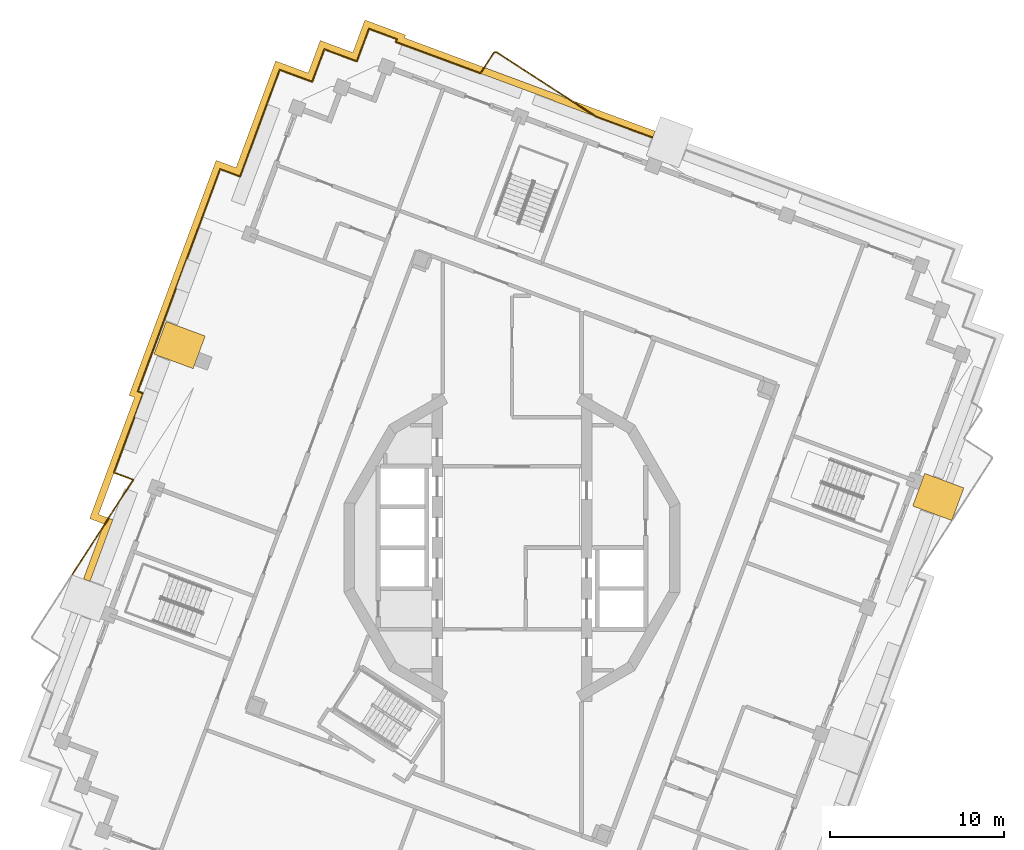
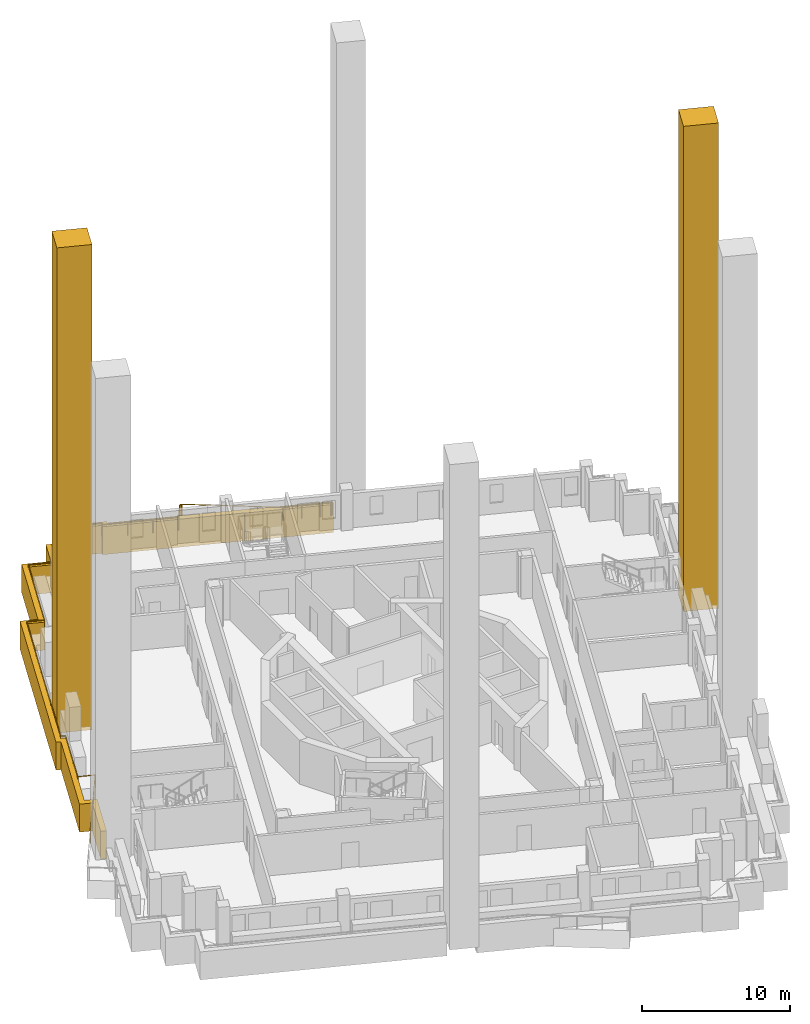
# One storey, part 17 of 20: 3 coverings, 1 railing.
"""IFC4 building model written with IfcOpenShell, lengths in metres."""

from ifc_helpers import new_model, si_unit, direction, frame, origin, origin_2d, place, context, subcontext, project, spatial, polyline, rectangle, circle, outline, extrude, material, type_object, element, save


model = new_model("IFC4")

# Units and contexts
model_context = context("Model", 3, precision=1e-05, world=origin(), true_north=direction((0.0, 1.0)))
body_context = subcontext(model_context, "Body", "Model", "MODEL_VIEW")
ifc_project = project(units=[si_unit("LENGTHUNIT", "METRE"), si_unit("AREAUNIT", "SQUARE_METRE"), si_unit("VOLUMEUNIT", "CUBIC_METRE"), si_unit("PLANEANGLEUNIT", "RADIAN"), si_unit("MASSUNIT", "GRAM", prefix="KILO")], contexts=[model_context])

# Site, building, storey
site_placement = place(None, origin())
site = spatial("IfcSite", under=ifc_project, at=site_placement, CompositionType="ELEMENT")
building_placement = place(site_placement, origin())
building = spatial("IfcBuilding", under=site, at=building_placement, Name="Cantera Rosa Tower", CompositionType="ELEMENT")
storey_placement = place(building_placement, frame((0.0, 0.0, 306.10009765625)))
storey = spatial("IfcBuildingStorey", under=building, at=storey_placement, Name="L67", CompositionType="ELEMENT", Elevation=306.10009765625)

# Railing
ifc_material_1 = material(Name="Stainless steel and laminated glass", Category="steel")
railing_type = type_object("IfcRailingType", Name="GUARD 1100", PredefinedType="BALUSTRADE", material=ifc_material_1)
railing_placement = place(storey_placement, frame((-25.3232421875, -1.53857421875, 0.0)))
element("IfcRailing", 1, at=railing_placement, inside=storey, type_object=railing_type, Name="GUARD L67-3", PredefinedType="BALUSTRADE", context=body_context, shape_type="SweptSolid", body=[
    extrude(circle(Radius=0.030029296875, at=origin_2d()), frame((0.0, 0.0, 1.070068359375), z_axis=(0.544599084663, 0.838696510655, 0.0), x_axis=(-0.838696510655, 0.544599084663, 0.0)), (0.0, 0.0, 1.0), 3.8583984375),
    extrude(circle(Radius=0.030029296875, at=origin_2d()), frame((2.101318359375, 3.236083984375, 1.070068359375), z_axis=(-0.938748227674, 0.344603779779, 0.0), x_axis=(-0.344603779779, -0.938748227674, 0.0)), (0.0, 0.0, 1.0), 0.0205078125),
    extrude(circle(Radius=0.030029296875, at=origin_2d()), frame((2.08203125, 3.2431640625, 1.070068359375), z_axis=(0.554700196225, 0.832050294338, 0.0), x_axis=(-0.832050294338, 0.554700196225, 0.0)), (0.0, 0.0, 1.0), 0.00439453125),
    extrude(circle(Radius=0.030029296875, at=origin_2d()), frame((2.08447265625, 3.246826171875, 1.070068359375), z_axis=(0.544645340556, 0.838666473045, 0.0), x_axis=(-0.838666473045, 0.544645340556, 0.0)), (0.0, 0.0, 1.0), 2.627197265625),
    extrude(circle(Radius=0.030029296875, at=origin_2d()), frame((3.515380859375, 5.4501953125, 1.070068359375), z_axis=(-0.937733777565, 0.347354807672, 0.0), x_axis=(-0.347354807672, -0.937733777565, 0.0)), (0.0, 0.0, 1.0), 1.179443359375),
    extrude(circle(Radius=0.030029296875, at=origin_2d()), frame((2.409423828125, 5.85986328125, 1.070068359375), z_axis=(0.347969908143, 0.93750570293, 0.0), x_axis=(-0.93750570293, 0.347969908143, 0.0)), (0.0, 0.0, 1.0), 0.169677734375),
    extrude(circle(Radius=0.030029296875, at=origin_2d()), frame((2.468505859375, 6.01904296875, 1.070068359375), z_axis=(0.0, 1.0, 0.0), x_axis=(-1.0, 0.0, 0.0)), (0.0, 0.0, 1.0), 0.000244140625),
    extrude(circle(Radius=0.030029296875, at=origin_2d()), frame((2.468505859375, 6.019287109375, 1.070068359375), z_axis=(0.347490234894, 0.93768360157, 0.0), x_axis=(-0.93768360157, 0.347490234894, 0.0)), (0.0, 0.0, 1.0), 4.70166015625),
    extrude(circle(Radius=0.030029296875, at=origin_2d()), frame((4.102294921875, 10.427978515625, 1.070068359375), z_axis=(0.294085848838, 0.955779008722, 0.0), x_axis=(-0.955779008722, 0.294085848838, 0.0)), (0.0, 0.0, 1.0), 0.00341796875),
    extrude(circle(Radius=0.030029296875, at=origin_2d()), frame((4.103271484375, 10.43115234375, 1.070068359375), z_axis=(-0.894427191, 0.4472135955, 0.0), x_axis=(-0.4472135955, -0.894427191, 0.0)), (0.0, 0.0, 1.0), 0.003173828125),
    extrude(circle(Radius=0.030029296875, at=origin_2d()), frame((4.100341796875, 10.4326171875, 1.070068359375), z_axis=(-0.937704637425, 0.347433465504, 0.0), x_axis=(-0.347433465504, -0.937704637425, 0.0)), (0.0, 0.0, 1.0), 0.333740234375),
    extrude(circle(Radius=0.030029296875, at=origin_2d()), frame((3.787353515625, 10.548583984375, 1.070068359375), z_axis=(0.346994485002, 0.937867169368, 0.0), x_axis=(-0.937867169368, 0.346994485002, 0.0)), (0.0, 0.0, 1.0), 0.149169921875),
    extrude(circle(Radius=0.030029296875, at=origin_2d()), frame((3.839111328125, 10.6884765625, 1.070068359375), z_axis=(0.316227766017, 0.948683298051, 0.0), x_axis=(-0.948683298051, 0.316227766017, 0.0)), (0.0, 0.0, 1.0), 0.000732421875),
    extrude(circle(Radius=0.030029296875, at=origin_2d()), frame((3.83935546875, 10.689208984375, 1.070068359375), z_axis=(0.347496007418, 0.937681462347, 0.0), x_axis=(-0.937681462347, 0.347496007418, 0.0)), (0.0, 0.0, 1.0), 3.764404296875),
    extrude(circle(Radius=0.030029296875, at=origin_2d()), frame((5.1474609375, 14.218994140625, 1.070068359375), z_axis=(0.347469040012, 0.937691455775, 0.0), x_axis=(-0.937691455775, 0.347469040012, 0.0)), (0.0, 0.0, 1.0), 9.715087890625),
    extrude(circle(Radius=0.030029296875, at=origin_2d()), frame((8.523193359375, 23.328857421875, 1.070068359375), z_axis=(0.937722312445, -0.34738575783, 0.0), x_axis=(0.34738575783, 0.937722312445, 0.0)), (0.0, 0.0, 1.0), 1.224853515625),
    extrude(circle(Radius=0.030029296875, at=origin_2d()), frame((9.671875, 22.9033203125, 1.070068359375), z_axis=(0.347478129695, 0.93768808747, 0.0), x_axis=(-0.93768808747, 0.347478129695, 0.0)), (0.0, 0.0, 1.0), 4.85498046875),
    extrude(circle(Radius=0.030029296875, at=origin_2d()), frame((11.35888671875, 27.455810546875, 1.070068359375), z_axis=(0.347501421626, 0.937679455874, 0.0), x_axis=(-0.937679455874, 0.347501421626, 0.0)), (0.0, 0.0, 1.0), 1.7001953125),
    extrude(circle(Radius=0.030029296875, at=origin_2d()), frame((11.94970703125, 29.050048828125, 1.070068359375), z_axis=(0.93766211216, -0.347548217403, 0.0), x_axis=(0.347548217403, 0.93766211216, 0.0)), (0.0, 0.0, 1.0), 1.699951171875),
    extrude(circle(Radius=0.030029296875, at=origin_2d()), frame((13.543701171875, 28.459228515625, 1.070068359375), z_axis=(0.937660365215, -0.347552930509, 0.0), x_axis=(0.347552930509, 0.937660365215, 0.0)), (0.0, 0.0, 1.0), 0.300048828125),
    extrude(circle(Radius=0.030029296875, at=origin_2d()), frame((13.824951171875, 28.35498046875, 1.070068359375), z_axis=(0.347552930509, 0.937660365215, 0.0), x_axis=(-0.937660365215, 0.347552930509, 0.0)), (0.0, 0.0, 1.0), 0.300048828125),
    extrude(circle(Radius=0.030029296875, at=origin_2d()), frame((13.92919921875, 28.63623046875, 1.070068359375), z_axis=(0.347501421626, 0.937679455874, 0.0), x_axis=(-0.937679455874, 0.347501421626, 0.0)), (0.0, 0.0, 1.0), 1.7001953125),
    extrude(circle(Radius=0.030029296875, at=origin_2d()), frame((14.52001953125, 30.23046875, 1.070068359375), z_axis=(0.93766211216, -0.347548217403, 0.0), x_axis=(0.347548217403, 0.93766211216, 0.0)), (0.0, 0.0, 1.0), 1.699951171875),
    extrude(circle(Radius=0.030029296875, at=origin_2d()), frame((16.114013671875, 29.6396484375, 1.070068359375), z_axis=(0.937660365215, -0.347552930509, 0.0), x_axis=(0.347552930509, 0.937660365215, 0.0)), (0.0, 0.0, 1.0), 0.300048828125),
    extrude(circle(Radius=0.030029296875, at=origin_2d()), frame((16.395263671875, 29.535400390625, 1.070068359375), z_axis=(0.347509146147, 0.937676593151, 0.0), x_axis=(-0.937676593151, 0.347509146147, 0.0)), (0.0, 0.0, 1.0), 2.000244140625),
    extrude(circle(Radius=0.030029296875, at=origin_2d()), frame((17.09033203125, 31.410888671875, 1.070068359375), z_axis=(0.93766211216, -0.347548217403, 0.0), x_axis=(0.347548217403, 0.93766211216, 0.0)), (0.0, 0.0, 1.0), 1.699951171875),
    extrude(circle(Radius=0.030029296875, at=origin_2d()), frame((18.684326171875, 30.820068359375, 1.070068359375), z_axis=(-0.346946854775, -0.937884790346, 0.0), x_axis=(0.937884790346, -0.346946854775, 0.0)), (0.0, 0.0, 1.0), 0.173095703125),
    extrude(circle(Radius=0.030029296875, at=origin_2d()), frame((18.624267578125, 30.65771484375, 1.070068359375), z_axis=(0.937687063636, -0.347480892553, 0.0), x_axis=(0.347480892553, 0.937687063636, 0.0)), (0.0, 0.0, 1.0), 5.2041015625),
    extrude(circle(Radius=0.030029296875, at=origin_2d()), frame((23.504150390625, 28.849365234375, 1.070068359375), z_axis=(0.544660153331, 0.838656853173, 0.0), x_axis=(-0.838656853173, 0.544660153331, 0.0)), (0.0, 0.0, 1.0), 1.385986328125),
    extrude(circle(Radius=0.030029296875, at=origin_2d()), frame((24.259033203125, 30.01171875, 1.070068359375), z_axis=(0.592076433961, 0.805881812891, 0.0), x_axis=(-0.805881812891, 0.592076433961, 0.0)), (0.0, 0.0, 1.0), 0.014892578125),
    extrude(circle(Radius=0.030029296875, at=origin_2d()), frame((24.267822265625, 30.023681640625, 1.070068359375), z_axis=(0.66436383883, 0.747409318684, 0.0), x_axis=(-0.747409318684, 0.66436383883, 0.0)), (0.0, 0.0, 1.0), 0.0146484375),
    extrude(circle(Radius=0.030029296875, at=origin_2d()), frame((24.277587890625, 30.03466796875, 1.070068359375), z_axis=(0.73160796015, 0.68172559923, 0.0), x_axis=(-0.68172559923, 0.73160796015, 0.0)), (0.0, 0.0, 1.0), 0.0146484375),
    extrude(circle(Radius=0.030029296875, at=origin_2d()), frame((24.288330078125, 30.044677734375, 1.070068359375), z_axis=(0.792010197197, 0.610507860339, 0.0), x_axis=(-0.610507860339, 0.792010197197, 0.0)), (0.0, 0.0, 1.0), 0.014892578125),
    extrude(circle(Radius=0.030029296875, at=origin_2d()), frame((24.300048828125, 30.0537109375, 1.070068359375), z_axis=(0.854521941471, 0.519415297757, 0.0), x_axis=(-0.519415297757, 0.854521941471, 0.0)), (0.0, 0.0, 1.0), 0.0146484375),
    extrude(circle(Radius=0.030029296875, at=origin_2d()), frame((24.3125, 30.061279296875, 1.070068359375), z_axis=(0.894427191, 0.4472135955, 0.0), x_axis=(-0.4472135955, 0.894427191, 0.0)), (0.0, 0.0, 1.0), 0.0146484375),
    extrude(circle(Radius=0.030029296875, at=origin_2d()), frame((24.32568359375, 30.06787109375, 1.070068359375), z_axis=(0.938343116817, 0.345705358827, 0.0), x_axis=(-0.345705358827, 0.938343116817, 0.0)), (0.0, 0.0, 1.0), 0.014892578125),
    extrude(circle(Radius=0.030029296875, at=origin_2d()), frame((24.339599609375, 30.072998046875, 1.070068359375), z_axis=(0.968146911612, 0.250382821969, 0.0), x_axis=(-0.250382821969, 0.968146911612, 0.0)), (0.0, 0.0, 1.0), 0.0146484375),
    extrude(circle(Radius=0.030029296875, at=origin_2d()), frame((24.353759765625, 30.07666015625, 1.070068359375), z_axis=(0.986393923832, 0.164398987305, 0.0), x_axis=(-0.164398987305, 0.986393923832, 0.0)), (0.0, 0.0, 1.0), 0.014892578125),
    extrude(circle(Radius=0.030029296875, at=origin_2d()), frame((24.368408203125, 30.0791015625, 1.070068359375), z_axis=(0.997785157857, 0.066519010524, 0.0), x_axis=(-0.066519010524, 0.997785157857, 0.0)), (0.0, 0.0, 1.0), 0.0146484375),
    extrude(circle(Radius=0.030029296875, at=origin_2d()), frame((24.383056640625, 30.080078125, 1.070068359375), z_axis=(0.998752338878, -0.049937616944, 0.0), x_axis=(0.049937616944, 0.998752338878, 0.0)), (0.0, 0.0, 1.0), 0.0146484375),
    extrude(circle(Radius=0.030029296875, at=origin_2d()), frame((24.397705078125, 30.079345703125, 1.070068359375), z_axis=(0.991227900683, -0.132163720091, 0.0), x_axis=(0.132163720091, 0.991227900683, 0.0)), (0.0, 0.0, 1.0), 0.014892578125),
    extrude(circle(Radius=0.030029296875, at=origin_2d()), frame((24.412353515625, 30.077392578125, 1.070068359375), z_axis=(0.972082208573, -0.234640533104, 0.0), x_axis=(0.234640533104, 0.972082208573, 0.0)), (0.0, 0.0, 1.0), 0.0146484375),
    extrude(circle(Radius=0.030029296875, at=origin_2d()), frame((24.426513671875, 30.073974609375, 1.070068359375), z_axis=(0.948683298051, -0.316227766017, 0.0), x_axis=(0.316227766017, 0.948683298051, 0.0)), (0.0, 0.0, 1.0), 0.0146484375),
    extrude(circle(Radius=0.030029296875, at=origin_2d()), frame((24.4404296875, 30.0693359375, 1.070068359375), z_axis=(0.910366477463, -0.413802944301, 0.0), x_axis=(0.413802944301, 0.910366477463, 0.0)), (0.0, 0.0, 1.0), 0.0146484375),
    extrude(circle(Radius=0.030029296875, at=origin_2d()), frame((24.453857421875, 30.063232421875, 1.070068359375), z_axis=(0.858946974209, -0.512064542317, 0.0), x_axis=(0.512064542317, 0.858946974209, 0.0)), (0.0, 0.0, 1.0), 0.014892578125),
    extrude(circle(Radius=0.030029296875, at=origin_2d()), frame((24.466552734375, 30.0556640625, 1.070068359375), z_axis=(0.838687059722, -0.544613639064, 0.0), x_axis=(0.544613639064, 0.838687059722, 0.0)), (0.0, 0.0, 1.0), 6.802734375),
    extrude(circle(Radius=0.030029296875, at=origin_2d()), frame((30.171875, 26.350830078125, 1.070068359375), z_axis=(0.857492925713, -0.514495755428, 0.0), x_axis=(0.514495755428, 0.857492925713, 0.0)), (0.0, 0.0, 1.0), 0.004150390625),
    extrude(circle(Radius=0.030029296875, at=origin_2d()), frame((30.175537109375, 26.3486328125, 1.070068359375), z_axis=(0.910366477463, -0.413802944301, 0.0), x_axis=(0.413802944301, 0.910366477463, 0.0)), (0.0, 0.0, 1.0), 0.0029296875),
    extrude(circle(Radius=0.030029296875, at=origin_2d()), frame((30.17822265625, 26.347412109375, 1.070068359375), z_axis=(0.937697148257, -0.347453677705, 0.0), x_axis=(0.347453677705, 0.937697148257, 0.0)), (0.0, 0.0, 1.0), 2.568115234375),
    extrude(circle(Radius=0.030029296875, at=origin_2d()), frame((32.58642578125, 25.455078125, 1.070068359375), z_axis=(0.937627938157, -0.347640402697, 0.0), x_axis=(0.347640402697, 0.937627938157, 0.0)), (0.0, 0.0, 1.0), 0.707275390625),
    extrude(circle(Radius=0.030029296875, at=origin_2d()), frame((33.24951171875, 25.209228515625, 1.070068359375), z_axis=(0.93912285212, -0.343581531264, 0.0), x_axis=(0.343581531264, 0.93912285212, 0.0)), (0.0, 0.0, 1.0), 0.042724609375),
    extrude(circle(Radius=0.030029296875, at=origin_2d()), frame((33.28955078125, 25.194580078125, 1.070068359375), z_axis=(0.937576914778, -0.347777987911, 0.0), x_axis=(0.347777987911, 0.937576914778, 0.0)), (0.0, 0.0, 1.0), 0.1201171875),
    extrude(circle(Radius=0.02490234375, at=origin_2d()), origin(), (0.0, 0.0, 1.0), 1.0400390625),
    extrude(circle(Radius=0.02490234375, at=origin_2d()), frame((1.05078125, 1.6181640625, 0.0)), (0.0, 0.0, 1.0), 1.0400390625),
    extrude(circle(Radius=0.02490234375, at=origin_2d()), frame((2.101318359375, 3.236083984375, 0.0)), (0.0, 0.0, 1.0), 1.0400390625),
    extrude(circle(Radius=0.02490234375, at=origin_2d()), frame((2.08203125, 3.2431640625, 0.0)), (0.0, 0.0, 1.0), 1.0400390625),
    extrude(circle(Radius=0.02490234375, at=origin_2d()), frame((2.08447265625, 3.246826171875, 0.0)), (0.0, 0.0, 1.0), 1.0400390625),
    extrude(circle(Radius=0.02490234375, at=origin_2d()), frame((2.7998046875, 4.3486328125, 0.0)), (0.0, 0.0, 1.0), 1.0400390625),
    extrude(circle(Radius=0.02490234375, at=origin_2d()), frame((3.515380859375, 5.4501953125, 0.0)), (0.0, 0.0, 1.0), 1.0400390625),
    extrude(circle(Radius=0.02490234375, at=origin_2d()), frame((2.409423828125, 5.85986328125, 0.0)), (0.0, 0.0, 1.0), 1.0400390625),
    extrude(circle(Radius=0.02490234375, at=origin_2d()), frame((2.468505859375, 6.01904296875, 0.0)), (0.0, 0.0, 1.0), 1.0400390625),
    extrude(circle(Radius=0.02490234375, at=origin_2d()), frame((2.468505859375, 6.019287109375, 0.0)), (0.0, 0.0, 1.0), 1.0400390625),
    extrude(circle(Radius=0.02490234375, at=origin_2d()), frame((3.01318359375, 7.48876953125, 0.0)), (0.0, 0.0, 1.0), 1.0400390625),
    extrude(circle(Radius=0.02490234375, at=origin_2d()), frame((3.5576171875, 8.95849609375, 0.0)), (0.0, 0.0, 1.0), 1.0400390625),
    extrude(circle(Radius=0.02490234375, at=origin_2d()), frame((4.102294921875, 10.427978515625, 0.0)), (0.0, 0.0, 1.0), 1.0400390625),
    extrude(circle(Radius=0.02490234375, at=origin_2d()), frame((4.103271484375, 10.43115234375, 0.0)), (0.0, 0.0, 1.0), 1.0400390625),
    extrude(circle(Radius=0.02490234375, at=origin_2d()), frame((4.100341796875, 10.4326171875, 0.0)), (0.0, 0.0, 1.0), 1.0400390625),
    extrude(circle(Radius=0.02490234375, at=origin_2d()), frame((3.787353515625, 10.548583984375, 0.0)), (0.0, 0.0, 1.0), 1.0400390625),
    extrude(circle(Radius=0.02490234375, at=origin_2d()), frame((3.839111328125, 10.6884765625, 0.0)), (0.0, 0.0, 1.0), 1.0400390625),
    extrude(circle(Radius=0.02490234375, at=origin_2d()), frame((3.83935546875, 10.689208984375, 0.0)), (0.0, 0.0, 1.0), 1.0400390625),
    extrude(circle(Radius=0.02490234375, at=origin_2d()), frame((4.493408203125, 12.4541015625, 0.0)), (0.0, 0.0, 1.0), 1.0400390625),
    extrude(circle(Radius=0.02490234375, at=origin_2d()), frame((5.1474609375, 14.218994140625, 0.0)), (0.0, 0.0, 1.0), 1.0400390625),
    extrude(circle(Radius=0.02490234375, at=origin_2d()), frame((5.822509765625, 16.041015625, 0.0)), (0.0, 0.0, 1.0), 1.0400390625),
    extrude(circle(Radius=0.02490234375, at=origin_2d()), frame((6.497802734375, 17.863037109375, 0.0)), (0.0, 0.0, 1.0), 1.0400390625),
    extrude(circle(Radius=0.02490234375, at=origin_2d()), frame((7.1728515625, 19.684814453125, 0.0)), (0.0, 0.0, 1.0), 1.0400390625),
    extrude(circle(Radius=0.02490234375, at=origin_2d()), frame((7.84814453125, 21.5068359375, 0.0)), (0.0, 0.0, 1.0), 1.0400390625),
    extrude(circle(Radius=0.02490234375, at=origin_2d()), frame((8.523193359375, 23.328857421875, 0.0)), (0.0, 0.0, 1.0), 1.0400390625),
    extrude(circle(Radius=0.02490234375, at=origin_2d()), frame((9.671875, 22.9033203125, 0.0)), (0.0, 0.0, 1.0), 1.0400390625),
    extrude(circle(Radius=0.02490234375, at=origin_2d()), frame((10.234130859375, 24.4208984375, 0.0)), (0.0, 0.0, 1.0), 1.0400390625),
    extrude(circle(Radius=0.02490234375, at=origin_2d()), frame((10.796630859375, 25.938232421875, 0.0)), (0.0, 0.0, 1.0), 1.0400390625),
    extrude(circle(Radius=0.02490234375, at=origin_2d()), frame((11.35888671875, 27.455810546875, 0.0)), (0.0, 0.0, 1.0), 1.0400390625),
    extrude(circle(Radius=0.02490234375, at=origin_2d()), frame((11.94970703125, 29.050048828125, 0.0)), (0.0, 0.0, 1.0), 1.0400390625),
    extrude(circle(Radius=0.02490234375, at=origin_2d()), frame((13.543701171875, 28.459228515625, 0.0)), (0.0, 0.0, 1.0), 1.0400390625),
    extrude(circle(Radius=0.02490234375, at=origin_2d()), frame((13.824951171875, 28.35498046875, 0.0)), (0.0, 0.0, 1.0), 1.0400390625),
    extrude(circle(Radius=0.02490234375, at=origin_2d()), frame((13.92919921875, 28.63623046875, 0.0)), (0.0, 0.0, 1.0), 1.0400390625),
    extrude(circle(Radius=0.02490234375, at=origin_2d()), frame((14.52001953125, 30.23046875, 0.0)), (0.0, 0.0, 1.0), 1.0400390625),
    extrude(circle(Radius=0.02490234375, at=origin_2d()), frame((16.114013671875, 29.6396484375, 0.0)), (0.0, 0.0, 1.0), 1.0400390625),
    extrude(circle(Radius=0.02490234375, at=origin_2d()), frame((16.395263671875, 29.535400390625, 0.0)), (0.0, 0.0, 1.0), 1.0400390625),
    extrude(circle(Radius=0.02490234375, at=origin_2d()), frame((17.09033203125, 31.410888671875, 0.0)), (0.0, 0.0, 1.0), 1.0400390625),
    extrude(circle(Radius=0.02490234375, at=origin_2d()), frame((18.684326171875, 30.820068359375, 0.0)), (0.0, 0.0, 1.0), 1.0400390625),
    extrude(circle(Radius=0.02490234375, at=origin_2d()), frame((18.624267578125, 30.65771484375, 0.0)), (0.0, 0.0, 1.0), 1.0400390625),
    extrude(circle(Radius=0.02490234375, at=origin_2d()), frame((20.2509765625, 30.054931640625, 0.0)), (0.0, 0.0, 1.0), 1.0400390625),
    extrude(circle(Radius=0.02490234375, at=origin_2d()), frame((21.87744140625, 29.4521484375, 0.0)), (0.0, 0.0, 1.0), 1.0400390625),
    extrude(circle(Radius=0.02490234375, at=origin_2d()), frame((23.504150390625, 28.849365234375, 0.0)), (0.0, 0.0, 1.0), 1.0400390625),
    extrude(circle(Radius=0.02490234375, at=origin_2d()), frame((24.259033203125, 30.01171875, 0.0)), (0.0, 0.0, 1.0), 1.0400390625),
    extrude(circle(Radius=0.02490234375, at=origin_2d()), frame((24.267822265625, 30.023681640625, 0.0)), (0.0, 0.0, 1.0), 1.0400390625),
    extrude(circle(Radius=0.02490234375, at=origin_2d()), frame((24.277587890625, 30.03466796875, 0.0)), (0.0, 0.0, 1.0), 1.0400390625),
    extrude(circle(Radius=0.02490234375, at=origin_2d()), frame((24.288330078125, 30.044677734375, 0.0)), (0.0, 0.0, 1.0), 1.0400390625),
    extrude(circle(Radius=0.02490234375, at=origin_2d()), frame((24.300048828125, 30.0537109375, 0.0)), (0.0, 0.0, 1.0), 1.0400390625),
    extrude(circle(Radius=0.02490234375, at=origin_2d()), frame((24.3125, 30.061279296875, 0.0)), (0.0, 0.0, 1.0), 1.0400390625),
    extrude(circle(Radius=0.02490234375, at=origin_2d()), frame((24.32568359375, 30.06787109375, 0.0)), (0.0, 0.0, 1.0), 1.0400390625),
    extrude(circle(Radius=0.02490234375, at=origin_2d()), frame((24.339599609375, 30.072998046875, 0.0)), (0.0, 0.0, 1.0), 1.0400390625),
    extrude(circle(Radius=0.02490234375, at=origin_2d()), frame((24.353759765625, 30.07666015625, 0.0)), (0.0, 0.0, 1.0), 1.0400390625),
    extrude(circle(Radius=0.02490234375, at=origin_2d()), frame((24.368408203125, 30.0791015625, 0.0)), (0.0, 0.0, 1.0), 1.0400390625),
    extrude(circle(Radius=0.02490234375, at=origin_2d()), frame((24.383056640625, 30.080078125, 0.0)), (0.0, 0.0, 1.0), 1.0400390625),
    extrude(circle(Radius=0.02490234375, at=origin_2d()), frame((24.397705078125, 30.079345703125, 0.0)), (0.0, 0.0, 1.0), 1.0400390625),
    extrude(circle(Radius=0.02490234375, at=origin_2d()), frame((24.412353515625, 30.077392578125, 0.0)), (0.0, 0.0, 1.0), 1.0400390625),
    extrude(circle(Radius=0.02490234375, at=origin_2d()), frame((24.426513671875, 30.073974609375, 0.0)), (0.0, 0.0, 1.0), 1.0400390625),
    extrude(circle(Radius=0.02490234375, at=origin_2d()), frame((24.4404296875, 30.0693359375, 0.0)), (0.0, 0.0, 1.0), 1.0400390625),
    extrude(circle(Radius=0.02490234375, at=origin_2d()), frame((24.453857421875, 30.063232421875, 0.0)), (0.0, 0.0, 1.0), 1.0400390625),
    extrude(circle(Radius=0.02490234375, at=origin_2d()), frame((24.466552734375, 30.0556640625, 0.0)), (0.0, 0.0, 1.0), 1.0400390625),
    extrude(circle(Radius=0.02490234375, at=origin_2d()), frame((25.892822265625, 29.12939453125, 0.0)), (0.0, 0.0, 1.0), 1.0400390625),
    extrude(circle(Radius=0.02490234375, at=origin_2d()), frame((27.3193359375, 28.203125, 0.0)), (0.0, 0.0, 1.0), 1.0400390625),
    extrude(circle(Radius=0.02490234375, at=origin_2d()), frame((28.74560546875, 27.277099609375, 0.0)), (0.0, 0.0, 1.0), 1.0400390625),
    extrude(circle(Radius=0.02490234375, at=origin_2d()), frame((30.171875, 26.350830078125, 0.0)), (0.0, 0.0, 1.0), 1.0400390625),
    extrude(circle(Radius=0.02490234375, at=origin_2d()), frame((30.175537109375, 26.3486328125, 0.0)), (0.0, 0.0, 1.0), 1.0400390625),
    extrude(circle(Radius=0.02490234375, at=origin_2d()), frame((30.17822265625, 26.347412109375, 0.0)), (0.0, 0.0, 1.0), 1.0400390625),
    extrude(circle(Radius=0.02490234375, at=origin_2d()), frame((31.38232421875, 25.9013671875, 0.0)), (0.0, 0.0, 1.0), 1.0400390625),
    extrude(circle(Radius=0.02490234375, at=origin_2d()), frame((32.58642578125, 25.455078125, 0.0)), (0.0, 0.0, 1.0), 1.0400390625),
    extrude(circle(Radius=0.02490234375, at=origin_2d()), frame((33.24951171875, 25.209228515625, 0.0)), (0.0, 0.0, 1.0), 1.0400390625),
    extrude(circle(Radius=0.02490234375, at=origin_2d()), frame((33.28955078125, 25.194580078125, 0.0)), (0.0, 0.0, 1.0), 1.0400390625),
    extrude(circle(Radius=0.02490234375, at=origin_2d()), frame((33.402099609375, 25.15283203125, 0.0)), (0.0, 0.0, 1.0), 1.0400390625),
])

# Coverings
ifc_material_2 = material(Name="Cantera stone", Category="masonry")
covering_type_1 = type_object("IfcCoveringType", Name="STONE FIN 2000x2400", PredefinedType="CLADDING", material=ifc_material_2)
for number, where, z_axis, x_axis, name in (
    (2, (-19.138427734375, 11.667236328125, -0.300048828125), (0.0, 0.0, 1.0), (-0.347481234489, -0.937686936924, 0.0), "STONE FIN FN-Z6-02"),
    (3, (24.545166015625, 2.923095703125, -0.300048828125), (0.0, 0.0, 1.0), (0.347481234489, 0.937686936924, 0.0), "STONE FIN FN-Z6-05"),
):
    element("IfcCovering", number, at=place(storey_placement, frame(where, z_axis=z_axis, x_axis=x_axis)), inside=storey, type_object=covering_type_1, Name=name, PredefinedType="CLADDING", context=body_context, shape_type="SweptSolid", body=[
        extrude(rectangle(XDim=2.0, YDim=2.39990234375, at=origin_2d()), origin(), (0.0, 0.0, 1.0), 39.89990234375),
    ])
ifc_material_3 = material(Name="Cantera stone", Category="masonry")
covering_type_2 = type_object("IfcCoveringType", Name="TRAY FASCIA 400", PredefinedType="CLADDING", material=ifc_material_3)
covering_placement = place(storey_placement, frame((0.0, 0.0, -1.400146484375)))
element("IfcCovering", 4, at=covering_placement, inside=storey, type_object=covering_type_2, Name="TRAY FASCIA L67-02", PredefinedType="CLADDING", context=body_context, shape_type="SweptSolid", body=[
    extrude(outline(polyline([(-23.498046875, 1.373291015625), (-24.320068359375, 1.677734375), (-21.733642578125, 8.65673828125), (-22.050048828125, 8.77392578125), (-17.0361328125, 22.304443359375), (-15.887451171875, 21.878662109375), (-14.33935546875, 26.056396484375), (-13.609619140625, 28.025390625), (-11.734375, 27.33056640625), (-11.039306640625, 29.205810546875), (-9.1640625, 28.510986328125), (-8.468994140625, 30.38623046875), (-6.124755859375, 29.517578125), (-6.18505859375, 29.355224609375), (2.935791015625, 25.975341796875), (2.926513671875, 25.9501953125), (7.402099609375, 24.29150390625), (8.236572265625, 23.982421875), (8.09765625, 23.607177734375), (7.26318359375, 23.91650390625), (2.412353515625, 25.714111328125), (2.421630859375, 25.7392578125), (-6.698974609375, 29.119140625), (-6.638916015625, 29.281494140625), (-8.23291015625, 29.872314453125), (-8.927978515625, 27.996826171875), (-9.209228515625, 28.10107421875), (-10.80322265625, 28.69189453125), (-11.39404296875, 27.09765625), (-11.498291015625, 26.81640625), (-11.779541015625, 26.920654296875), (-13.37353515625, 27.511474609375), (-13.96435546875, 25.917236328125), (-15.6513671875, 21.36474609375), (-16.800048828125, 21.790283203125), (-21.535888671875, 9.010009765625), (-21.2197265625, 8.892822265625), (-23.805908203125, 1.913818359375), (-22.98388671875, 1.609375), (-24.29833984375, -1.9375), (-24.67333984375, -1.798583984375), (-23.498046875, 1.373291015625)])), origin(), (0.0, 0.0, 1.0), 2.300048828125),
])

save(model, "model.ifc")
